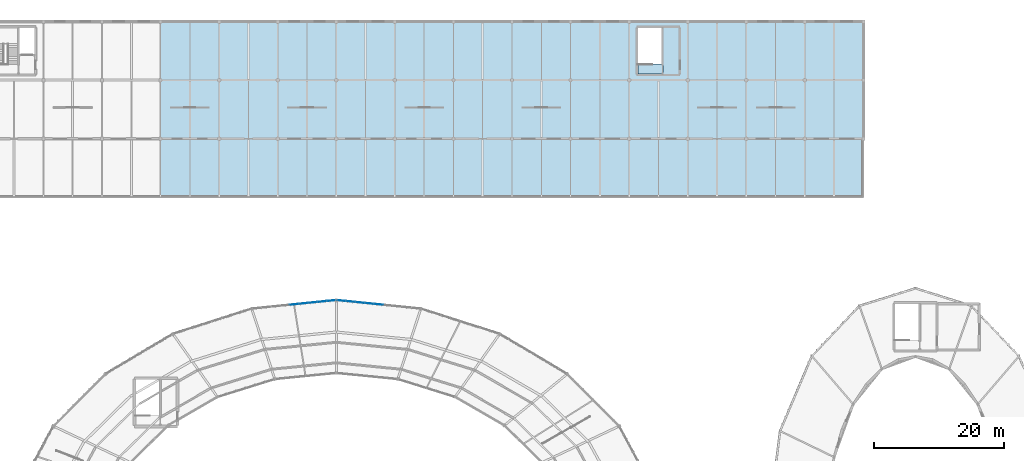
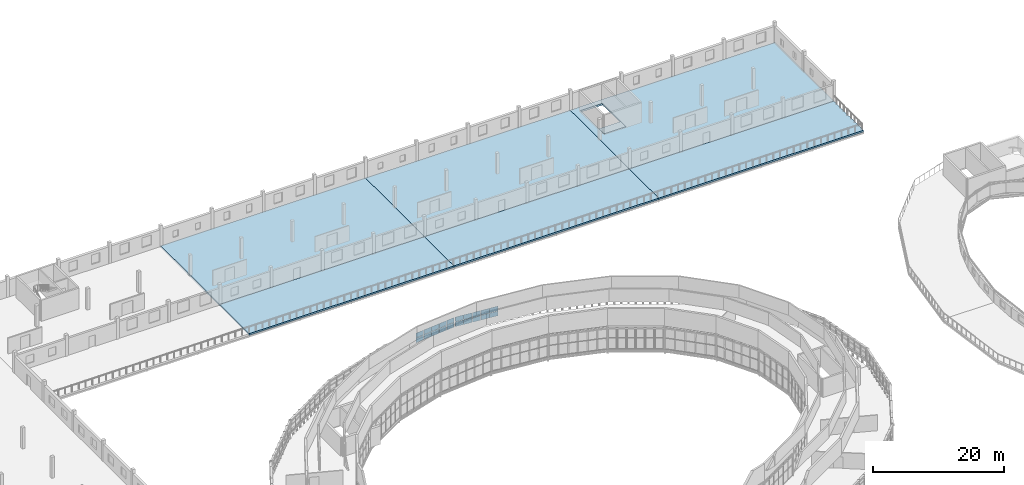
# One storey, part 92 of 123: 20 plates, 7 slabs, 2 elements without a shape of their own.
"""IFC4 building model written with IfcOpenShell, lengths in metres."""

import ifcopenshell
import ifcopenshell.guid

model = None  # the IFC model being written
_history = None  # IfcOwnerHistory: only IFC2X3 demands one
_inside = {}  # id of a spatial element -> (the spatial element, [elements in it])
_under = {}  # id of a project, library or spatial element -> (it, [spatial elements below it])
_declared = {}  # id of a project -> (the project, [libraries it declares])
_typed = {}  # id of a type object -> (the type object, [elements of that type])
_made_of = {}  # id of a material, layer set ... -> (it, [elements and type objects made of it])


def new_model(schema):
    """Start an empty IFC model of exactly this schema.

    Asked for "IFC4X3", IfcOpenShell would pick the latest addendum, in which some entities
    have other attributes; the version numbers below select the first issue.
    IFC2X3 requires an IfcOwnerHistory on every rooted entity: one is made here for all.
    """
    global model, _history
    if schema == "IFC4X3":
        model = ifcopenshell.file(schema_version=(4, 3, 0, 0))
    else:
        model = ifcopenshell.file(schema=schema)
    _inside.clear()
    _under.clear()
    _declared.clear()
    _typed.clear()
    _made_of.clear()
    _history = None
    if model.schema == "IFC2X3":
        org = make("IfcOrganization", Name="unknown")
        user = make(
            "IfcPersonAndOrganization",
            ThePerson=make("IfcPerson", FamilyName="unknown"),
            TheOrganization=org,
        )
        app = make(
            "IfcApplication",
            ApplicationDeveloper=org,
            Version="unknown",
            ApplicationFullName="unknown",
            ApplicationIdentifier="unknown",
        )
        _history = make(
            "IfcOwnerHistory",
            OwningUser=user,
            OwningApplication=app,
            ChangeAction="ADDED",
            CreationDate=0,
        )
    return model


def make(cls, **values):
    """One entity of the class cls with the attributes given. An attribute that is None is left unset."""
    return model.create_entity(
        cls, **{name: value for name, value in values.items() if value is not None}
    )


def rooted(cls, **values):
    """An entity with a GlobalId (a new one), such as an element, a storey or a relation."""
    return make(cls, GlobalId=ifcopenshell.guid.new(), OwnerHistory=_history, **values)


def si_unit(unit_type, name, prefix=None):
    """IfcSIUnit, for example si_unit("LENGTHUNIT", "METRE", prefix="MILLI")."""
    return make("IfcSIUnit", UnitType=unit_type, Prefix=prefix, Name=name)


def assignment(units):
    """IfcUnitAssignment: the units of a project."""
    return None if units is None else make("IfcUnitAssignment", Units=units)


def point(xyz):
    """IfcCartesianPoint."""
    return None if xyz is None else make("IfcCartesianPoint", Coordinates=xyz)


def direction(xyz):
    """IfcDirection."""
    return None if xyz is None else make("IfcDirection", DirectionRatios=xyz)


def frame(location, z_axis=None, x_axis=None):
    """IfcAxis2Placement3D, a coordinate frame: its origin and axes. An axis left out is left unset."""
    return make(
        "IfcAxis2Placement3D",
        Location=point(location),
        Axis=direction(z_axis),
        RefDirection=direction(x_axis),
    )


def frame_2d(location, x_axis=None):
    """IfcAxis2Placement2D, a coordinate frame in the plane: its origin and x axis."""
    return make(
        "IfcAxis2Placement2D", Location=point(location), RefDirection=direction(x_axis)
    )


def origin():
    """The frame at (0, 0, 0) with its axes left unset."""
    return frame((0.0, 0.0, 0.0))


def origin_2d():
    """The frame at (0, 0) in the plane with its x axis left unset."""
    return frame_2d((0.0, 0.0))


def place(relative_to, where):
    """IfcLocalPlacement: puts the frame where relative to a parent placement (None: the world)."""
    return make(
        "IfcLocalPlacement", PlacementRelTo=relative_to, RelativePlacement=where
    )


def context(
    kind, dimensions, precision=None, world=None, true_north=None, identifier=None
):
    """IfcGeometricRepresentationContext, for example the 3D "Model" context."""
    return make(
        "IfcGeometricRepresentationContext",
        ContextIdentifier=identifier,
        ContextType=kind,
        CoordinateSpaceDimension=dimensions,
        Precision=precision,
        WorldCoordinateSystem=world,
        TrueNorth=true_north,
    )


def subcontext(parent, identifier, kind, view, scale=None):
    """IfcGeometricRepresentationSubContext, for example "Body" below "Model"."""
    return make(
        "IfcGeometricRepresentationSubContext",
        ContextIdentifier=identifier,
        ContextType=kind,
        ParentContext=parent,
        TargetScale=scale,
        TargetView=view,
    )


def project(units=None, contexts=None):
    """IfcProject with its units and contexts."""
    return rooted(
        "IfcProject",
        Name="project",
        RepresentationContexts=contexts,
        UnitsInContext=assignment(units),
    )


def spatial(cls, under=None, at=None, **own):
    """A site, building, storey or space (cls), placed at a placement, below another one or the project."""
    s = rooted(cls, ObjectPlacement=at, **own)
    if under is not None:
        _under.setdefault(under.id(), (under, []))[1].append(s)
    return s


def polyline(points):
    """IfcPolyline through the points."""
    return make("IfcPolyline", Points=[point(p) for p in points])


def profile(cls, at=None, kind="AREA", **sizes):
    """A parametric profile (cls). Its sizes go by their IFC names, for example OverallWidth=200.0."""
    return make(cls, ProfileType=kind, Position=at, **sizes)


def rectangle(**sizes):
    """IfcRectangleProfileDef."""
    return profile("IfcRectangleProfileDef", **sizes)


def outline(outer, holes=None, kind="AREA"):
    """IfcArbitraryClosedProfileDef: a profile drawn as a closed curve; with holes, ...WithVoids."""
    if holes is None:
        return make("IfcArbitraryClosedProfileDef", ProfileType=kind, OuterCurve=outer)
    return make(
        "IfcArbitraryProfileDefWithVoids",
        ProfileType=kind,
        OuterCurve=outer,
        InnerCurves=holes,
    )


def extrude(swept, where, along, depth):
    """IfcExtrudedAreaSolid: the profile swept, set in the frame where, extruded along a direction by depth."""
    return make(
        "IfcExtrudedAreaSolid",
        SweptArea=swept,
        Position=where,
        ExtrudedDirection=direction(along),
        Depth=depth,
    )


def shape(context_of_items, identifier, shape_type, items):
    """IfcShapeRepresentation: the items that make up one representation, for example the "Body"."""
    return make(
        "IfcShapeRepresentation",
        ContextOfItems=context_of_items,
        RepresentationIdentifier=identifier,
        RepresentationType=shape_type,
        Items=items,
    )


def material(Name=None, Category=None):
    """IfcMaterial."""
    return make("IfcMaterial", Name=Name, Category=Category)


def layer(
    of_material, thickness, ventilated=None, Name=None, Category=None, Priority=None
):
    """IfcMaterialLayer: one layer of a wall or slab, of a material (None: an air gap)."""
    return make(
        "IfcMaterialLayer",
        Material=of_material,
        LayerThickness=thickness,
        IsVentilated=ventilated,
        Name=Name,
        Category=Category,
        Priority=Priority,
    )


def layer_set(layers, Name=None):
    """IfcMaterialLayerSet."""
    return make("IfcMaterialLayerSet", MaterialLayers=layers, LayerSetName=Name)


def made_of(thing, what):
    """Note that an element or type object is made of a material, layer set ...; save() writes the relation."""
    if what is not None:
        _made_of.setdefault(what.id(), (what, []))[1].append(thing)
    return thing


def type_object(cls, material=None, **own):
    """A type object (cls), such as IfcWallType, which elements share."""
    return made_of(rooted(cls, **own), material)


def element(
    cls,
    number,
    at=None,
    inside=None,
    cuts=None,
    type_object=None,
    material=None,
    context=None,
    identifier="Body",
    shape_type=None,
    held_by="IfcProductDefinitionShape",
    body=None,
    shapes=None,
    **own,
):
    """One element of the class cls, such as IfcWall. Its Tag is "e" and its number.

    at: its placement. inside: the storey or other place that contains it. cuts: it is an
    opening in that element (IfcRelVoidsElement). A single representation is given by context,
    identifier, shape_type and body (its items); several are given by shapes. held_by: the class
    of the entity that holds the representations. save() writes the other relations.
    """
    e = rooted(cls, Tag="e%d" % number, ObjectPlacement=at, **own)
    if body is not None:
        shapes = [shape(context, identifier, shape_type, body)]
    if shapes is not None:
        e.Representation = make(held_by, Representations=shapes)
    if inside is not None:
        _inside.setdefault(inside.id(), (inside, []))[1].append(e)
    if cuts is not None:
        rooted(
            "IfcRelVoidsElement", RelatingBuildingElement=cuts, RelatedOpeningElement=e
        )
    if type_object is not None:
        _typed.setdefault(type_object.id(), (type_object, []))[1].append(e)
    return made_of(e, material)


def aggregate(whole, parts):
    """IfcRelAggregates: a whole, such as a stair, and the parts it consists of."""
    return rooted("IfcRelAggregates", RelatingObject=whole, RelatedObjects=parts)


def save(model, path):
    """Write the relations noted so far, then the file.

    IfcRelAggregates (storeys below a building ...), IfcRelContainedInSpatialStructure (elements
    in a storey), IfcRelDefinesByType, IfcRelAssociatesMaterial and IfcRelDeclares: one each for
    every whole, place, type object, material and project.
    """
    for whole, parts in _under.values():
        aggregate(whole, parts)
    for where, things in _inside.values():
        rooted(
            "IfcRelContainedInSpatialStructure",
            RelatedElements=things,
            RelatingStructure=where,
        )
    for kind, things in _typed.values():
        rooted("IfcRelDefinesByType", RelatedObjects=things, RelatingType=kind)
    for what, things in _made_of.values():
        rooted("IfcRelAssociatesMaterial", RelatedObjects=things, RelatingMaterial=what)
    for by, libraries in _declared.values():
        rooted("IfcRelDeclares", RelatingContext=by, RelatedDefinitions=libraries)
    model.write(path)


model = new_model("IFC4")

# Units and contexts
model_context = context("Model", 3, precision=1e-05, world=origin(), true_north=direction((0.0, 1.0)))
body_context = subcontext(model_context, "Body", "Model", "MODEL_VIEW")
ifc_project = project(units=[si_unit("LENGTHUNIT", "METRE"), si_unit("AREAUNIT", "SQUARE_METRE"), si_unit("VOLUMEUNIT", "CUBIC_METRE"), si_unit("PLANEANGLEUNIT", "RADIAN"), si_unit("MASSUNIT", "GRAM", prefix="KILO")], contexts=[model_context])

# Site, building, storey
site_placement = place(None, origin())
site = spatial("IfcSite", under=ifc_project, at=site_placement, CompositionType="ELEMENT")
building_placement = place(site_placement, origin())
building = spatial("IfcBuilding", under=site, at=building_placement, Name="Kildeholm Park Wholesale Market", CompositionType="ELEMENT")
storey_placement = place(building_placement, frame((0.0, 0.0, 9.60009765625)))
storey = spatial("IfcBuildingStorey", under=building, at=storey_placement, Name="L02", CompositionType="ELEMENT", Elevation=9.60009765625)

# Curtain wall, plates
ifc_material_1 = material(Name="Anodised aluminium and low-E double-glazed glass", Category="aluminium")
curtain_wall_type = type_object("IfcCurtainWallType", Name="Clerestory daylight stick curtain wall CW-02", PredefinedType="NOTDEFINED", material=ifc_material_1)
curtain_wall_1_placement = place(storey_placement, origin())
curtain_wall_1 = element("IfcCurtainWall", 1, at=curtain_wall_1_placement, inside=storey, type_object=curtain_wall_type, Name="Curtain wall CW-V1-CL-05 CW-0027", PredefinedType="NOTDEFINED")
ifc_material_2 = material(Name="Fritted solar-control clerestory glass", Category="glass")
ifc_layer_1 = layer(ifc_material_2, 0.031982421875)
ifc_layer_set_1 = layer_set([ifc_layer_1], Name="Fritted solar-control clerestory glass")
plate_type = type_object("IfcPlateType", Name="Curtain-wall panel CWP-4 32 mm", PredefinedType="CURTAIN_PANEL", material=ifc_layer_set_1)
plate_1_placement = place(storey_placement, frame((105.4970703125, 127.54443359375, 1.40966796875), z_axis=(0.0, 0.0, 1.0), x_axis=(-0.994886564926, 0.100998628351, 0.0)))
plate_1 = element("IfcPlate", 2, at=plate_1_placement, type_object=plate_type, Name="CW-02 panel 5.1 PLT-0524", PredefinedType="CURTAIN_PANEL", context=body_context, shape_type="SweptSolid", body=[
    extrude(rectangle(XDim=1.38232421875, YDim=0.031982421875, at=origin_2d()), origin(), (0.0, 0.0, 1.0), 0.860107421875),
])
plate_2_placement = place(storey_placement, frame((105.4970703125, 127.54443359375, 2.330078125), z_axis=(0.0, 0.0, 1.0), x_axis=(-0.994886564926, 0.100998628351, 0.0)))
plate_2 = element("IfcPlate", 3, at=plate_2_placement, type_object=plate_type, Name="CW-02 panel 5.2 PLT-0525", PredefinedType="CURTAIN_PANEL", context=body_context, shape_type="SweptSolid", body=[
    extrude(rectangle(XDim=1.38232421875, YDim=0.031982421875, at=origin_2d()), origin(), (0.0, 0.0, 1.0), 0.860107421875),
])
plate_3_placement = place(storey_placement, frame((104.06201171875, 127.690185546875, 1.40966796875), z_axis=(0.0, 0.0, 1.0), x_axis=(-0.994886564926, 0.100998628351, 0.0)))
plate_3 = element("IfcPlate", 4, at=plate_3_placement, type_object=plate_type, Name="CW-02 panel 6.1 PLT-0526", PredefinedType="CURTAIN_PANEL", context=body_context, shape_type="SweptSolid", body=[
    extrude(rectangle(XDim=1.38232421875, YDim=0.031982421875, at=origin_2d()), origin(), (0.0, 0.0, 1.0), 0.860107421875),
])
plate_4_placement = place(storey_placement, frame((104.06201171875, 127.690185546875, 2.330078125), z_axis=(0.0, 0.0, 1.0), x_axis=(-0.994886564926, 0.100998628351, 0.0)))
plate_4 = element("IfcPlate", 5, at=plate_4_placement, type_object=plate_type, Name="CW-02 panel 6.2 PLT-0527", PredefinedType="CURTAIN_PANEL", context=body_context, shape_type="SweptSolid", body=[
    extrude(rectangle(XDim=1.38232421875, YDim=0.031982421875, at=origin_2d()), origin(), (0.0, 0.0, 1.0), 0.860107421875),
])
plate_5_placement = place(storey_placement, frame((102.627197265625, 127.8359375, 1.40966796875), z_axis=(0.0, 0.0, 1.0), x_axis=(-0.994886564926, 0.100998628351, 0.0)))
plate_5 = element("IfcPlate", 6, at=plate_5_placement, type_object=plate_type, Name="CW-02 panel 7.1 PLT-0528", PredefinedType="CURTAIN_PANEL", context=body_context, shape_type="SweptSolid", body=[
    extrude(rectangle(XDim=1.38232421875, YDim=0.031982421875, at=origin_2d()), origin(), (0.0, 0.0, 1.0), 0.860107421875),
])
plate_6_placement = place(storey_placement, frame((102.627197265625, 127.8359375, 2.330078125), z_axis=(0.0, 0.0, 1.0), x_axis=(-0.994886564926, 0.100998628351, 0.0)))
plate_6 = element("IfcPlate", 7, at=plate_6_placement, type_object=plate_type, Name="CW-02 panel 7.2 PLT-0529", PredefinedType="CURTAIN_PANEL", context=body_context, shape_type="SweptSolid", body=[
    extrude(rectangle(XDim=1.38232421875, YDim=0.031982421875, at=origin_2d()), origin(), (0.0, 0.0, 1.0), 0.860107421875),
])
plate_7_placement = place(storey_placement, frame((101.1923828125, 127.9814453125, 1.40966796875), z_axis=(0.0, 0.0, 1.0), x_axis=(-0.994886564926, 0.100998628351, 0.0)))
plate_7 = element("IfcPlate", 8, at=plate_7_placement, type_object=plate_type, Name="CW-02 panel 8.1 PLT-0530", PredefinedType="CURTAIN_PANEL", context=body_context, shape_type="SweptSolid", body=[
    extrude(rectangle(XDim=1.38232421875, YDim=0.031982421875, at=origin_2d()), origin(), (0.0, 0.0, 1.0), 0.860107421875),
])
plate_8_placement = place(storey_placement, frame((101.1923828125, 127.9814453125, 2.330078125), z_axis=(0.0, 0.0, 1.0), x_axis=(-0.994886564926, 0.100998628351, 0.0)))
plate_8 = element("IfcPlate", 9, at=plate_8_placement, type_object=plate_type, Name="CW-02 panel 8.2 PLT-0531", PredefinedType="CURTAIN_PANEL", context=body_context, shape_type="SweptSolid", body=[
    extrude(rectangle(XDim=1.38232421875, YDim=0.031982421875, at=origin_2d()), origin(), (0.0, 0.0, 1.0), 0.860107421875),
])
plate_9_placement = place(storey_placement, frame((99.7724609375, 128.125732421875, 1.40966796875), z_axis=(0.0, 0.0, 1.0), x_axis=(-0.994886564926, 0.100998628351, 0.0)))
plate_9 = element("IfcPlate", 10, at=plate_9_placement, type_object=plate_type, Name="CW-02 panel 9.1 PLT-0532", PredefinedType="CURTAIN_PANEL", context=body_context, shape_type="SweptSolid", body=[
    extrude(rectangle(XDim=1.352294921875, YDim=0.031982421875, at=origin_2d()), origin(), (0.0, 0.0, 1.0), 0.860107421875),
])
plate_10_placement = place(storey_placement, frame((99.7724609375, 128.125732421875, 2.330078125), z_axis=(0.0, 0.0, 1.0), x_axis=(-0.994886564926, 0.100998628351, 0.0)))
plate_10 = element("IfcPlate", 11, at=plate_10_placement, type_object=plate_type, Name="CW-02 panel 9.2 PLT-0533", PredefinedType="CURTAIN_PANEL", context=body_context, shape_type="SweptSolid", body=[
    extrude(rectangle(XDim=1.352294921875, YDim=0.031982421875, at=origin_2d()), origin(), (0.0, 0.0, 1.0), 0.860107421875),
])
aggregate(curtain_wall_1, [plate_1, plate_2, plate_3, plate_4, plate_5, plate_6, plate_7, plate_8, plate_9, plate_10])

curtain_wall_2_placement = place(storey_placement, origin())
curtain_wall_2 = element("IfcCurtainWall", 12, at=curtain_wall_2_placement, inside=storey, type_object=curtain_wall_type, Name="Curtain wall CW-V1-CL-06 CW-0031", PredefinedType="NOTDEFINED")
plate_11_placement = place(storey_placement, frame((98.2275390625, 128.125732421875, 1.40966796875), z_axis=(0.0, 0.0, 1.0), x_axis=(-0.994886564926, -0.100998628351, 0.0)))
plate_11 = element("IfcPlate", 13, at=plate_11_placement, type_object=plate_type, Name="CW-02 panel 1.1 PLT-0578", PredefinedType="CURTAIN_PANEL", context=body_context, shape_type="SweptSolid", body=[
    extrude(rectangle(XDim=1.352294921875, YDim=0.031982421875, at=origin_2d()), origin(), (0.0, 0.0, 1.0), 0.860107421875),
])
plate_12_placement = place(storey_placement, frame((98.2275390625, 128.125732421875, 2.330078125), z_axis=(0.0, 0.0, 1.0), x_axis=(-0.994886564926, -0.100998628351, 0.0)))
plate_12 = element("IfcPlate", 14, at=plate_12_placement, type_object=plate_type, Name="CW-02 panel 1.2 PLT-0579", PredefinedType="CURTAIN_PANEL", context=body_context, shape_type="SweptSolid", body=[
    extrude(rectangle(XDim=1.352294921875, YDim=0.031982421875, at=origin_2d()), origin(), (0.0, 0.0, 1.0), 0.860107421875),
])
plate_13_placement = place(storey_placement, frame((96.8076171875, 127.9814453125, 1.40966796875), z_axis=(0.0, 0.0, 1.0), x_axis=(-0.994886564926, -0.100998628351, 0.0)))
plate_13 = element("IfcPlate", 15, at=plate_13_placement, type_object=plate_type, Name="CW-02 panel 2.1 PLT-0580", PredefinedType="CURTAIN_PANEL", context=body_context, shape_type="SweptSolid", body=[
    extrude(rectangle(XDim=1.38232421875, YDim=0.031982421875, at=origin_2d()), origin(), (0.0, 0.0, 1.0), 0.860107421875),
])
plate_14_placement = place(storey_placement, frame((96.8076171875, 127.9814453125, 2.330078125), z_axis=(0.0, 0.0, 1.0), x_axis=(-0.994886564926, -0.100998628351, 0.0)))
plate_14 = element("IfcPlate", 16, at=plate_14_placement, type_object=plate_type, Name="CW-02 panel 2.2 PLT-0581", PredefinedType="CURTAIN_PANEL", context=body_context, shape_type="SweptSolid", body=[
    extrude(rectangle(XDim=1.38232421875, YDim=0.031982421875, at=origin_2d()), origin(), (0.0, 0.0, 1.0), 0.860107421875),
])
plate_15_placement = place(storey_placement, frame((95.372802734375, 127.8359375, 1.40966796875), z_axis=(0.0, 0.0, 1.0), x_axis=(-0.994886564926, -0.100998628351, 0.0)))
plate_15 = element("IfcPlate", 17, at=plate_15_placement, type_object=plate_type, Name="CW-02 panel 3.1 PLT-0582", PredefinedType="CURTAIN_PANEL", context=body_context, shape_type="SweptSolid", body=[
    extrude(rectangle(XDim=1.38232421875, YDim=0.031982421875, at=origin_2d()), origin(), (0.0, 0.0, 1.0), 0.860107421875),
])
plate_16_placement = place(storey_placement, frame((95.372802734375, 127.8359375, 2.330078125), z_axis=(0.0, 0.0, 1.0), x_axis=(-0.994886564926, -0.100998628351, 0.0)))
plate_16 = element("IfcPlate", 18, at=plate_16_placement, type_object=plate_type, Name="CW-02 panel 3.2 PLT-0583", PredefinedType="CURTAIN_PANEL", context=body_context, shape_type="SweptSolid", body=[
    extrude(rectangle(XDim=1.38232421875, YDim=0.031982421875, at=origin_2d()), origin(), (0.0, 0.0, 1.0), 0.860107421875),
])
plate_17_placement = place(storey_placement, frame((93.93798828125, 127.690185546875, 1.40966796875), z_axis=(0.0, 0.0, 1.0), x_axis=(-0.994886564926, -0.100998628351, 0.0)))
plate_17 = element("IfcPlate", 19, at=plate_17_placement, type_object=plate_type, Name="CW-02 panel 4.1 PLT-0584", PredefinedType="CURTAIN_PANEL", context=body_context, shape_type="SweptSolid", body=[
    extrude(rectangle(XDim=1.38232421875, YDim=0.031982421875, at=origin_2d()), origin(), (0.0, 0.0, 1.0), 0.860107421875),
])
plate_18_placement = place(storey_placement, frame((93.93798828125, 127.690185546875, 2.330078125), z_axis=(0.0, 0.0, 1.0), x_axis=(-0.994886564926, -0.100998628351, 0.0)))
plate_18 = element("IfcPlate", 20, at=plate_18_placement, type_object=plate_type, Name="CW-02 panel 4.2 PLT-0585", PredefinedType="CURTAIN_PANEL", context=body_context, shape_type="SweptSolid", body=[
    extrude(rectangle(XDim=1.38232421875, YDim=0.031982421875, at=origin_2d()), origin(), (0.0, 0.0, 1.0), 0.860107421875),
])
plate_19_placement = place(storey_placement, frame((92.5029296875, 127.54443359375, 1.40966796875), z_axis=(0.0, 0.0, 1.0), x_axis=(-0.994886564926, -0.100998628351, 0.0)))
plate_19 = element("IfcPlate", 21, at=plate_19_placement, type_object=plate_type, Name="CW-02 panel 5.1 PLT-0586", PredefinedType="CURTAIN_PANEL", context=body_context, shape_type="SweptSolid", body=[
    extrude(rectangle(XDim=1.38232421875, YDim=0.031982421875, at=origin_2d()), origin(), (0.0, 0.0, 1.0), 0.860107421875),
])
plate_20_placement = place(storey_placement, frame((92.5029296875, 127.54443359375, 2.330078125), z_axis=(0.0, 0.0, 1.0), x_axis=(-0.994886564926, -0.100998628351, 0.0)))
plate_20 = element("IfcPlate", 22, at=plate_20_placement, type_object=plate_type, Name="CW-02 panel 5.2 PLT-0587", PredefinedType="CURTAIN_PANEL", context=body_context, shape_type="SweptSolid", body=[
    extrude(rectangle(XDim=1.38232421875, YDim=0.031982421875, at=origin_2d()), origin(), (0.0, 0.0, 1.0), 0.860107421875),
])
aggregate(curtain_wall_2, [plate_11, plate_12, plate_13, plate_14, plate_15, plate_16, plate_17, plate_18, plate_19, plate_20])

# Slabs
ifc_material_3 = material(Name="Concrete C40/50", Category="concrete")
ifc_layer_2 = layer(ifc_material_3, 0.320068359375)
ifc_layer_set_2 = layer_set([ifc_layer_2], Name="Concrete C40/50")
slab_type_1 = type_object("IfcSlabType", Name="Slab S-FL4 320 mm", PredefinedType="FLOOR", material=ifc_layer_set_2)
slab_1_placement = place(storey_placement, frame((0.0, 0.0, -0.320068359375)))
element("IfcSlab", 23, at=slab_1_placement, inside=storey, type_object=slab_type_1, Name="V4 L02 slab N part 2 SLB-0353", PredefinedType="FLOOR", context=body_context, shape_type="SweptSolid", body=[
    extrude(outline(polyline([(72.0, 171.0), (108.0, 171.0), (108.0, 153.0), (72.0, 153.0), (72.0, 171.0)])), origin(), (0.0, 0.0, 1.0), 0.320068359375),
])
slab_2_placement = place(storey_placement, frame((0.0, 0.0, -0.320068359375)))
element("IfcSlab", 24, at=slab_2_placement, inside=storey, type_object=slab_type_1, Name="V4 L02 slab N part 3 SLB-0354", PredefinedType="FLOOR", context=body_context, shape_type="SweptSolid", body=[
    extrude(outline(polyline([(108.0, 171.0), (144.0, 171.0), (144.0, 153.0), (108.0, 153.0), (108.0, 171.0)])), origin(), (0.0, 0.0, 1.0), 0.320068359375),
])
slab_3_placement = place(storey_placement, frame((0.0, 0.0, -0.320068359375)))
element("IfcSlab", 25, at=slab_3_placement, inside=storey, type_object=slab_type_1, Name="V4 L02 slab N part 4 SLB-0355", PredefinedType="FLOOR", context=body_context, shape_type="SweptSolid", body=[
    extrude(outline(polyline([(144.0, 171.0), (180.0, 171.0), (180.0, 153.0), (144.0, 153.0), (144.0, 171.0)]), holes=[polyline([(149.179931640625, 162.919921875), (149.179931640625, 170.080078125), (145.320068359375, 170.080078125), (145.320068359375, 162.919921875), (149.179931640625, 162.919921875)])]), origin(), (0.0, 0.0, 1.0), 0.320068359375),
])
ifc_layer_3 = layer(ifc_material_3, 0.2900390625)
ifc_layer_set_3 = layer_set([ifc_layer_3], Name="Concrete C40/50")
slab_type_2 = type_object("IfcSlabType", Name="Slab S-TR1 290 mm", PredefinedType="ROOF", material=ifc_layer_set_3)
slab_4_placement = place(storey_placement, frame((0.0, 0.0, -0.2900390625)))
element("IfcSlab", 26, at=slab_4_placement, inside=storey, type_object=slab_type_2, Name="V4 L02 slab NTER part 2 SLB-0358", PredefinedType="ROOF", context=body_context, shape_type="SweptSolid", body=[
    extrude(outline(polyline([(72.0, 153.0), (108.0, 153.0), (108.0, 144.0), (72.0, 144.0), (72.0, 153.0)])), origin(), (0.0, 0.0, 1.0), 0.2900390625),
])
slab_5_placement = place(storey_placement, frame((0.0, 0.0, -0.2900390625)))
element("IfcSlab", 27, at=slab_5_placement, inside=storey, type_object=slab_type_2, Name="V4 L02 slab NTER part 3 SLB-0359", PredefinedType="ROOF", context=body_context, shape_type="SweptSolid", body=[
    extrude(outline(polyline([(108.0, 153.0), (144.0, 153.0), (144.0, 144.0), (108.0, 144.0), (108.0, 153.0)])), origin(), (0.0, 0.0, 1.0), 0.2900390625),
])
slab_6_placement = place(storey_placement, frame((0.0, 0.0, -0.2900390625)))
element("IfcSlab", 28, at=slab_6_placement, inside=storey, type_object=slab_type_2, Name="V4 L02 slab NTER part 4 SLB-0360", PredefinedType="ROOF", context=body_context, shape_type="SweptSolid", body=[
    extrude(outline(polyline([(144.0, 153.0), (180.0, 153.0), (180.0, 144.0), (144.0, 144.0), (144.0, 153.0)])), origin(), (0.0, 0.0, 1.0), 0.2900390625),
])
ifc_material_4 = material(Name="Concrete C35/45", Category="concrete")
ifc_layer_4 = layer(ifc_material_4, 0.239990234375)
ifc_layer_set_4 = layer_set([ifc_layer_4], Name="Concrete C35/45")
slab_type_3 = type_object("IfcSlabType", Name="Stair landing slab S-LD1 240 mm", PredefinedType="LANDING", material=ifc_layer_set_4)
slab_7_placement = place(storey_placement, frame((0.0, 0.0, -0.239990234375)))
element("IfcSlab", 29, at=slab_7_placement, inside=storey, type_object=slab_type_3, Name="Core C03 stair landing slab L02 SLB-0418", PredefinedType="LANDING", context=body_context, shape_type="SweptSolid", body=[
    extrude(outline(polyline([(145.35009765625, 162.949951171875), (149.14990234375, 162.949951171875), (149.14990234375, 164.5), (145.35009765625, 164.5), (145.35009765625, 162.949951171875)])), origin(), (0.0, 0.0, 1.0), 0.239990234375),
])

save(model, "model.ifc")
